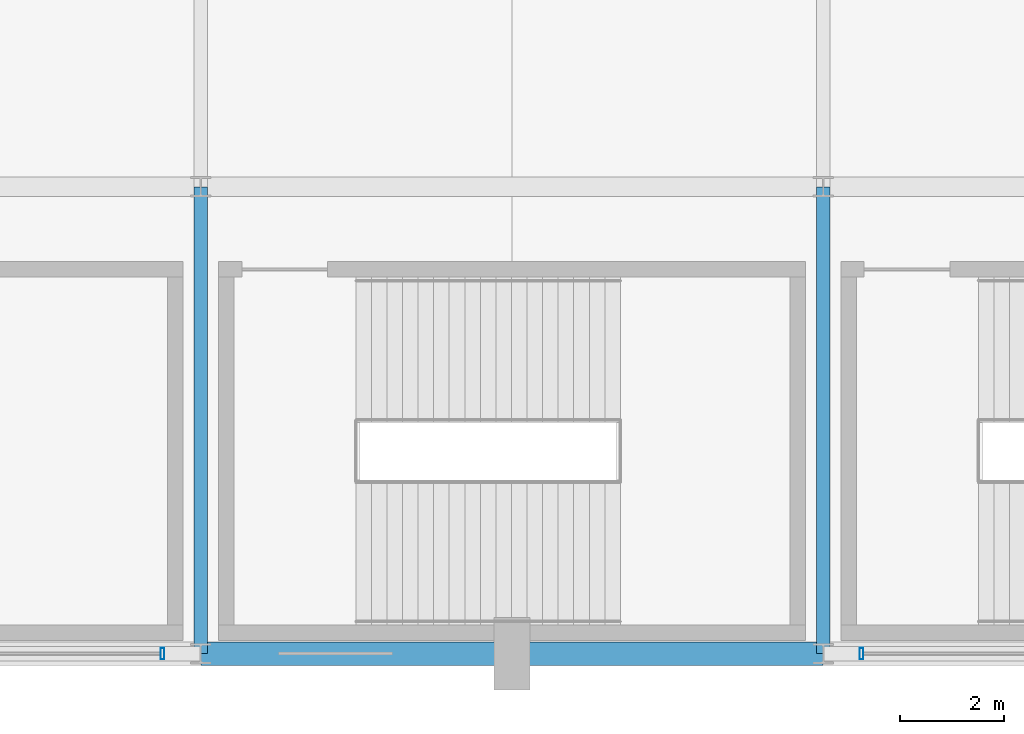
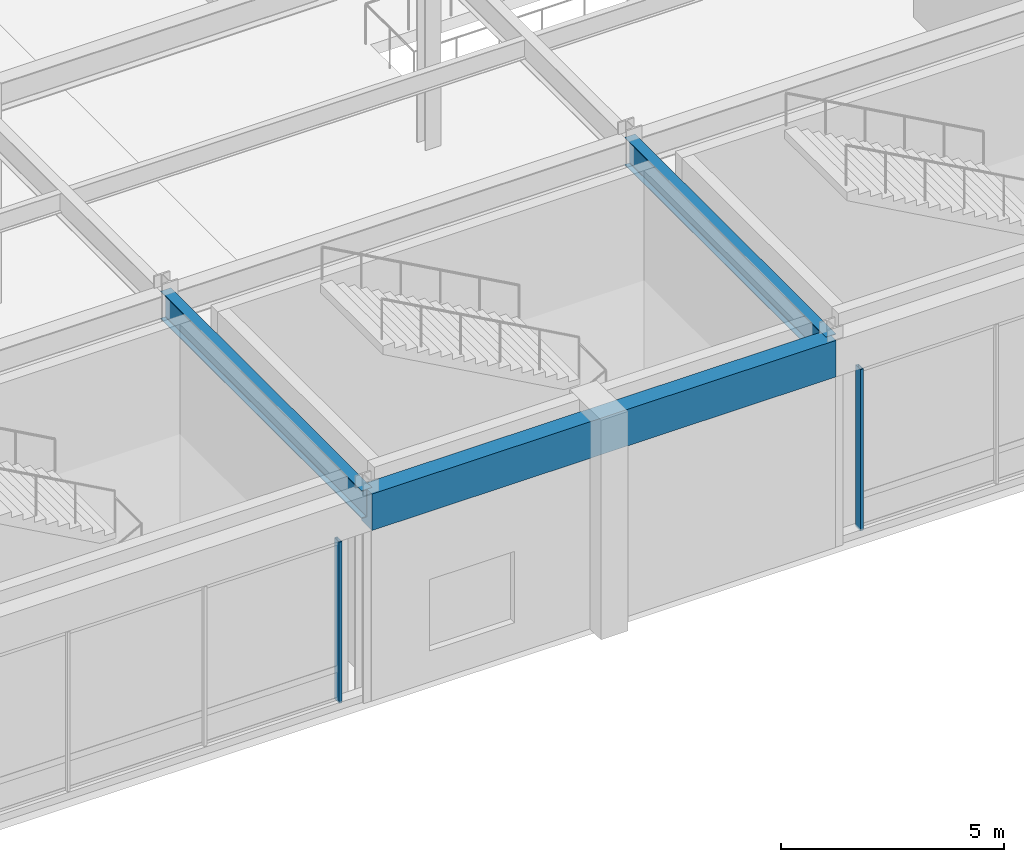
# One storey, part 27 of 105: 3 beams, 2 members, 2 elements without a shape of their own.
"""IFC4 building model written with IfcOpenShell, lengths in metres."""

from ifc_helpers import new_model, si_unit, direction, frame, origin, origin_2d, place, context, subcontext, project, spatial, rectangle, hollow_rectangle, i_section, extrude, material, material_profile, profile_set, type_object, element, aggregate, save


model = new_model("IFC4")

# Units and contexts
model_context = context("Model", 3, precision=1e-05, world=origin(), true_north=direction((0.0, 1.0)))
body_context = subcontext(model_context, "Body", "Model", "MODEL_VIEW")
ifc_project = project(units=[si_unit("LENGTHUNIT", "METRE"), si_unit("AREAUNIT", "SQUARE_METRE"), si_unit("VOLUMEUNIT", "CUBIC_METRE"), si_unit("PLANEANGLEUNIT", "RADIAN"), si_unit("MASSUNIT", "GRAM", prefix="KILO")], contexts=[model_context])

# Site, building, storey
site_placement = place(None, origin())
site = spatial("IfcSite", under=ifc_project, at=site_placement, CompositionType="ELEMENT")
building_placement = place(site_placement, origin())
building = spatial("IfcBuilding", under=site, at=building_placement, Name="Kaldorvane Square Convention Centre", CompositionType="ELEMENT")
storey_placement = place(building_placement, frame((0.0, 0.0, 6.0)))
storey = spatial("IfcBuildingStorey", under=building, at=storey_placement, Name="L01", CompositionType="ELEMENT", Elevation=6.0)

# Beams
ifc_material_1 = material(Name="Steel ASTM A992 Gr. 50", Category="steel")
ifc_material_profile_1 = material_profile(ifc_material_1, i_section(OverallWidth=0.2666015625, OverallDepth=0.762298583984375, WebThickness=0.014404296875, FlangeThickness=0.0216064453125, FilletRadius=0.0164947509765625, at=origin_2d()), Name="W30X116")
ifc_profile_set_1 = profile_set([ifc_material_profile_1], Name="Steel ASTM A992 Gr. 50")
beam_type_1 = type_object("IfcBeamType", Name="BM-GR-W30X116", PredefinedType="BEAM", material=ifc_profile_set_1)
for number, where, z_axis, x_axis, name in (
    (1, (114.0, 0.0, 5.2949066162109375), (0.0, 1.0, 0.0), (-1.0, 0.0, 0.0), "Transverse Girder (L01)"),
    (2, (126.0, 0.0, 5.2949066162109375), (0.0, 1.0, 0.0), (-1.0, 0.0, 0.0), "Transverse Girder (L01)"),
):
    element("IfcBeam", number, at=place(storey_placement, frame(where, z_axis=z_axis, x_axis=x_axis)), inside=storey, type_object=beam_type_1, Name=name, PredefinedType="BEAM", context=body_context, shape_type="SweptSolid", body=[
        extrude(i_section(OverallWidth=0.2666015625, OverallDepth=0.762298583984375, WebThickness=0.014404296875, FlangeThickness=0.0216064453125, FilletRadius=0.0164947509765625, at=origin_2d()), origin(), (0.0, 0.0, 1.0), 9.0),
    ])
ifc_material_2 = material(Name="Concrete f'c = 42 MPa (Normalweight)", Category="concrete")
ifc_material_profile_2 = material_profile(ifc_material_2, rectangle(XDim=0.4499969482421875, YDim=1.0, at=origin_2d()), Name="RCSP1000X450")
ifc_profile_set_2 = profile_set([ifc_material_profile_2], Name="Concrete f'c = 42 MPa (Normalweight)")
beam_type_2 = type_object("IfcBeamType", Name="BM-SP-RC1000", PredefinedType="SPANDREL", material=ifc_profile_set_2)
beam_placement = place(storey_placement, frame((114.0, 0.0, 5.175994873046875), z_axis=(1.0, 0.0, 0.0), x_axis=(0.0, 1.0, 0.0)))
element("IfcBeam", 3, at=beam_placement, inside=storey, type_object=beam_type_2, Name="Perimeter Spandrel (L01)", PredefinedType="SPANDREL", context=body_context, shape_type="SweptSolid", body=[
    extrude(rectangle(XDim=0.4499969482421875, YDim=1.0, at=origin_2d()), origin(), (0.0, 0.0, 1.0), 12.0),
])

# Curtain wall, member
ifc_material_3 = material(Name="Anodized Aluminum and Low-E Insulated Glazing", Category="aluminium")
curtain_wall_type = type_object("IfcCurtainWallType", Name="CW-UNI-P60-12", PredefinedType="USERDEFINED", material=ifc_material_3)
curtain_wall_1_placement = place(storey_placement, origin())
curtain_wall_1 = element("IfcCurtainWall", 4, at=curtain_wall_1_placement, inside=storey, type_object=curtain_wall_type, Name="Curtain Wall CW-01 (L01)", ObjectType="UNITISED GLAZING", PredefinedType="USERDEFINED")
ifc_material_profile_3 = material_profile(ifc_material_3, hollow_rectangle(XDim=0.0749969482421875, YDim=0.220001220703125, WallThickness=0.003997802734375, at=origin_2d()), Name="CWM-220X75")
ifc_profile_set_3 = profile_set([ifc_material_profile_3], Name="Anodized Aluminum and Low-E Insulated Glazing")
member_type = type_object("IfcMemberType", Name="CW-MUL-220", PredefinedType="MULLION", material=ifc_profile_set_3)
member_1_placement = place(storey_placement, frame((113.26249694824219, 0.0, 0.149993896484375), z_axis=(0.0, 0.0, 1.0), x_axis=(1.0, 0.0, 0.0)))
member_1 = element("IfcMember", 5, at=member_1_placement, type_object=member_type, Name="CW-01 mullion 4", PredefinedType="MULLION", context=body_context, shape_type="SweptSolid", body=[
    extrude(hollow_rectangle(XDim=0.0749969482421875, YDim=0.220001220703125, WallThickness=0.003997802734375, at=origin_2d()), origin(), (0.0, 0.0, 1.0), 4.410003662109375),
])
aggregate(curtain_wall_1, [member_1])

curtain_wall_2_placement = place(storey_placement, origin())
curtain_wall_2 = element("IfcCurtainWall", 6, at=curtain_wall_2_placement, inside=storey, type_object=curtain_wall_type, Name="Curtain Wall CW-01 (L01)", ObjectType="UNITISED GLAZING", PredefinedType="USERDEFINED")
member_2_placement = place(storey_placement, frame((126.73750305175781, 0.0, 0.149993896484375), z_axis=(0.0, 0.0, 1.0), x_axis=(1.0, 0.0, 0.0)))
member_2 = element("IfcMember", 7, at=member_2_placement, type_object=member_type, Name="CW-01 mullion 1", PredefinedType="MULLION", context=body_context, shape_type="SweptSolid", body=[
    extrude(hollow_rectangle(XDim=0.0749969482421875, YDim=0.220001220703125, WallThickness=0.003997802734375, at=origin_2d()), origin(), (0.0, 0.0, 1.0), 4.410003662109375),
])
aggregate(curtain_wall_2, [member_2])

save(model, "model.ifc")
